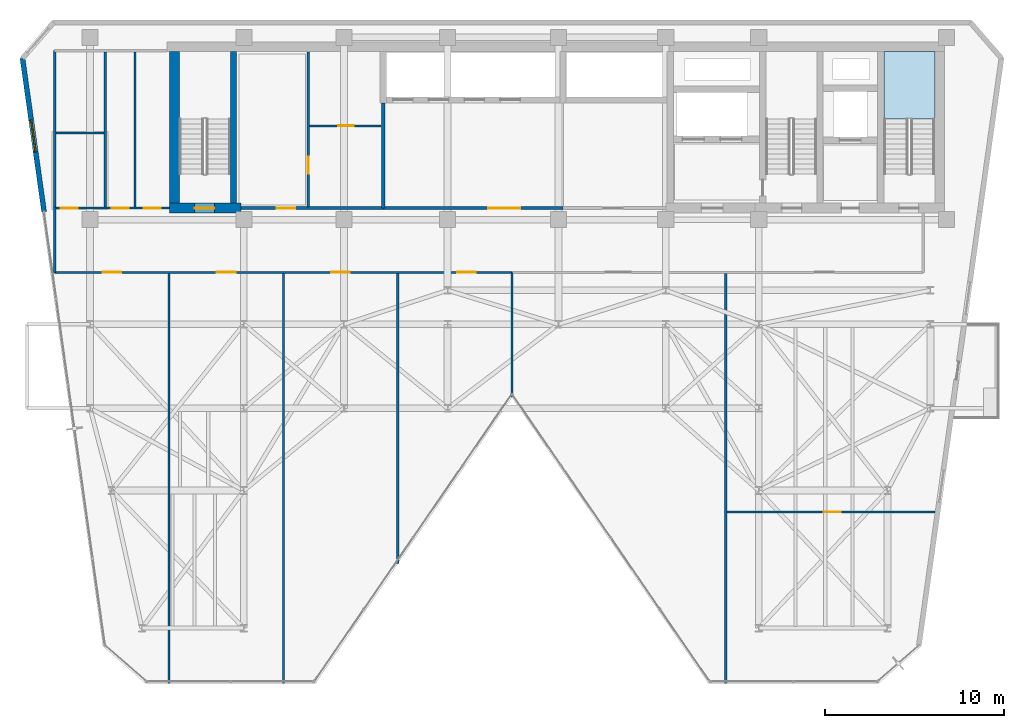
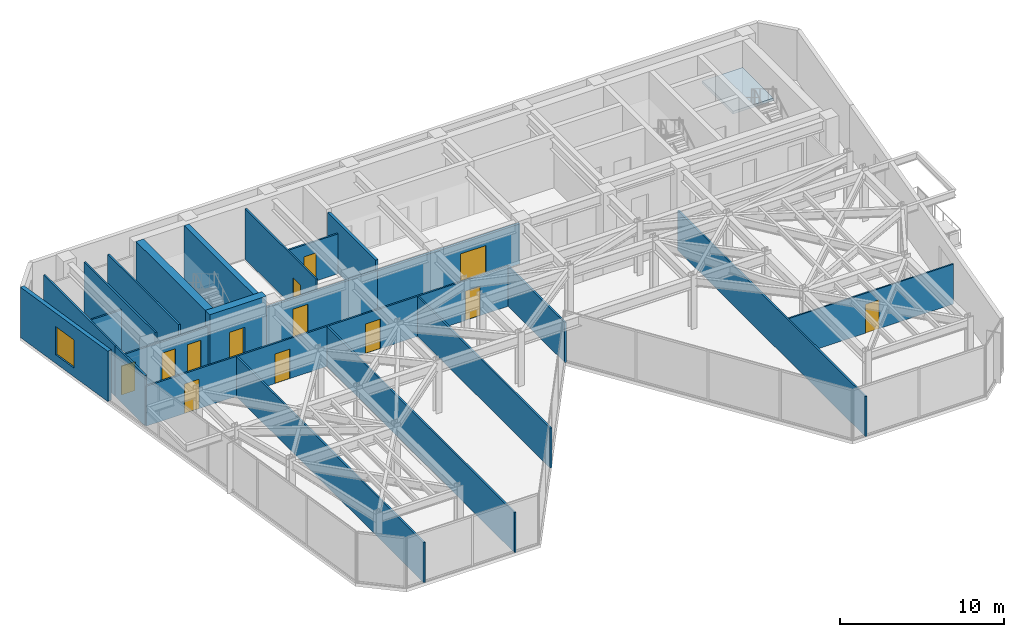
# One storey, part 22 of 27: 22 walls, 13 doors, 1 slab, 1 window, 14 openings, 1 element without a shape of its own.
"""IFC4 building model written with IfcOpenShell, lengths in metres."""

from ifc_helpers import new_model, si_unit, direction, frame, frame_2d, origin, place, context, subcontext, project, spatial, polyline, rectangle, outline, extrude, material, layer, layer_set, type_object, element, fill, aggregate, save


model = new_model("IFC4")

# Units and contexts
model_context = context("Model", 3, precision=1e-05, world=origin(), true_north=direction((0.0, 1.0)))
body_context = subcontext(model_context, "Body", "Model", "MODEL_VIEW")
ifc_project = project(units=[si_unit("LENGTHUNIT", "METRE"), si_unit("AREAUNIT", "SQUARE_METRE"), si_unit("VOLUMEUNIT", "CUBIC_METRE"), si_unit("PLANEANGLEUNIT", "RADIAN"), si_unit("MASSUNIT", "GRAM", prefix="KILO")], contexts=[model_context])

# Site, building, storey
site_placement = place(None, origin())
site = spatial("IfcSite", under=ifc_project, at=site_placement, CompositionType="ELEMENT")
building_placement = place(site_placement, origin())
building = spatial("IfcBuilding", under=site, at=building_placement, Name="Kravanh Interchange Tower", CompositionType="ELEMENT")
storey_placement = place(building_placement, frame((0.0, 0.0, 164.5)))
storey = spatial("IfcBuildingStorey", under=building, at=storey_placement, Name="L39", CompositionType="ELEMENT", Elevation=164.5)

# Stair, slab
ifc_material_1 = material(Name="Concrete C50/60", Category="concrete")
stair_type = type_object("IfcStairType", Name="Core Fire Exit Dogleg Stair Concrete C50/60", PredefinedType="HALF_TURN_STAIR", material=ifc_material_1)
stair_placement = place(storey_placement, origin())
stair = element("IfcStair", 1, at=stair_placement, inside=storey, type_object=stair_type, Name="L39 Exit Stair ST1", PredefinedType="HALF_TURN_STAIR")
ifc_material_2 = material(Name="Concrete C50/60", Category="concrete")
ifc_layer_1 = layer(ifc_material_2, 0.199951171875)
ifc_layer_set_1 = layer_set([ifc_layer_1], Name="Concrete C50/60 Stair Half-Landing Slab 200mm")
slab_type = type_object("IfcSlabType", Name="Concrete C50/60 Stair Half-Landing Slab 200mm", PredefinedType="LANDING", material=ifc_layer_set_1)
slab_placement = place(storey_placement, frame((0.0, 0.0, 1.800048828125)))
slab = element("IfcSlab", 2, at=slab_placement, type_object=slab_type, Name="ST1 landing 1", PredefinedType="LANDING", context=body_context, shape_type="SweptSolid", body=[
    extrude(outline(polyline([(65.85009765625, 42.97998046875), (65.85009765625, 46.75), (63.0, 46.75), (63.0, 42.97998046875), (65.85009765625, 42.97998046875)])), origin(), (0.0, 0.0, 1.0), 0.199951171875),
])
aggregate(stair, [slab])

# Wall, opening, door
ifc_material_3 = material(Name="Double Acoustic Gypsum Board and Mineral Wool")
ifc_layer_2 = layer(ifc_material_3, 0.1201171875)
ifc_layer_set_2 = layer_set([ifc_layer_2], Name="Acoustic Office Drywall Partition 120mm")
wall_type_1 = type_object("IfcWallType", Name="Acoustic Office Drywall Partition 120mm", PredefinedType="PARTITIONING", material=ifc_layer_set_2)
wall_1_placement = place(storey_placement, frame((30.800048828125, 38.068115234375, 0.0), z_axis=(0.0, 0.0, 1.0), x_axis=(0.0, 1.0, 0.0)))
wall_1 = element("IfcWall", 3, at=wall_1_placement, inside=storey, type_object=wall_type_1, Name="L39 Interior Partition 4", PredefinedType="PARTITIONING", context=body_context, shape_type="SweptSolid", body=[
    extrude(rectangle(XDim=8.673828125, YDim=0.1201171875, at=frame_2d((4.3369140625, 0.0))), origin(), (0.0, 0.0, 1.0), 3.7548828125),
])
opening_1_placement = place(wall_1_placement, frame((1.865234375, 0.0, 0.0)))
opening_1 = element("IfcOpeningElement", 4, at=opening_1_placement, cuts=wall_1, Name="Opening D-95", PredefinedType="OPENING", context=body_context, shape_type="SweptSolid", body=[
    extrude(rectangle(XDim=0.949951171875, YDim=2.14990234375, at=frame_2d((0.47509765625, 1.074951171875))), frame((0.0, 0.070068359375, 0.0), z_axis=(0.0, -1.0, 0.0), x_axis=(1.0, 0.0, 0.0)), (0.0, 0.0, 1.0), 0.14013671875),
])
ifc_material_4 = material(Name="Laminate Solid-Core Timber", Category="wood")
door_type_1 = type_object("IfcDoorType", Name="Accessible Restroom Door 950x2150", OperationType="NOTDEFINED", PredefinedType="DOOR", material=ifc_material_4)
door_1_placement = place(opening_1_placement, origin())
door_1 = element("IfcDoor", 5, at=door_1_placement, inside=storey, type_object=door_type_1, Name="L39 Copy Hub Inner Door", OperationType="SINGLE_SWING_RIGHT", OverallHeight=2.14990234375, OverallWidth=0.949951171875, PredefinedType="DOOR", context=body_context, shape_type="SweptSolid", body=[
    extrude(rectangle(XDim=0.949951171875, YDim=2.14990234375, at=frame_2d((0.47509765625, 1.074951171875))), frame((0.0, 0.02490234375, 0.0), z_axis=(0.0, -1.0, 0.0), x_axis=(1.0, 0.0, 0.0)), (0.0, 0.0, 1.0), 0.050048828125),
])
fill(opening_1, door_1)

wall_2_placement = place(storey_placement, frame((30.867919921875, 42.60009765625, 0.0), z_axis=(0.0, 0.0, 1.0), x_axis=(1.0, 0.0, 0.0)))
wall_2 = element("IfcWall", 6, at=wall_2_placement, inside=storey, type_object=wall_type_1, Name="L39 Interior Partition 5", PredefinedType="PARTITIONING", context=body_context, shape_type="SweptSolid", body=[
    extrude(rectangle(XDim=4.01416015625, YDim=0.1201171875, at=frame_2d((2.007080078125, 0.0))), origin(), (0.0, 0.0, 1.0), 2.98193359375),
])
opening_2_placement = place(wall_2_placement, frame((1.622314453125, 0.0, 0.0)))
opening_2 = element("IfcOpeningElement", 7, at=opening_2_placement, cuts=wall_2, Name="Opening D-85", PredefinedType="OPENING", context=body_context, shape_type="SweptSolid", body=[
    extrude(rectangle(XDim=0.85009765625, YDim=2.10009765625, at=frame_2d((0.425048828125, 1.050048828125))), frame((0.0, 0.070068359375, 0.0), z_axis=(0.0, -1.0, 0.0), x_axis=(1.0, 0.0, 0.0)), (0.0, 0.0, 1.0), 0.14013671875),
])
ifc_material_5 = material(Name="Engineered Teak Veneer Timber", Category="wood")
door_type_2 = type_object("IfcDoorType", Name="En-Suite Timber Door 850x2100", OperationType="NOTDEFINED", PredefinedType="DOOR", material=ifc_material_5)
door_2_placement = place(opening_2_placement, origin())
door_2 = element("IfcDoor", 8, at=door_2_placement, inside=storey, type_object=door_type_2, Name="L39 Records Store Inner Door", OperationType="SINGLE_SWING_LEFT", OverallHeight=2.10009765625, OverallWidth=0.85009765625, PredefinedType="DOOR", context=body_context, shape_type="SweptSolid", body=[
    extrude(rectangle(XDim=0.85009765625, YDim=2.10009765625, at=frame_2d((0.425048828125, 1.050048828125))), frame((0.0, 0.02490234375, 0.0), z_axis=(0.0, -1.0, 0.0), x_axis=(1.0, 0.0, 0.0)), (0.0, 0.0, 1.0), 0.050048828125),
])
fill(opening_2, door_2)

# Wall, openings, doors
wall_3_placement = place(storey_placement, frame((16.6201171875, 38.0, 0.0), z_axis=(0.0, 0.0, 1.0), x_axis=(1.0, 0.0, 0.0)))
wall_3 = element("IfcWall", 9, at=wall_3_placement, inside=storey, type_object=wall_type_1, Name="L39 Restroom Corridor Wall 7", PredefinedType="PARTITIONING", context=body_context, shape_type="SweptSolid", body=[
    extrude(rectangle(XDim=6.429931640625, YDim=0.1201171875, at=frame_2d((3.21484375, 0.0))), origin(), (0.0, 0.0, 1.0), 2.98193359375),
])
opening_3_placement = place(wall_3_placement, frame((0.348876953125, 0.0, 0.0)))
opening_3 = element("IfcOpeningElement", 10, at=opening_3_placement, cuts=wall_3, Name="Opening D-95", PredefinedType="OPENING", context=body_context, shape_type="SweptSolid", body=[
    extrude(rectangle(XDim=0.949951171875, YDim=2.14990234375, at=frame_2d((0.47509765625, 1.074951171875))), frame((0.0, 0.070068359375, 0.0), z_axis=(0.0, -1.0, 0.0), x_axis=(1.0, 0.0, 0.0)), (0.0, 0.0, 1.0), 0.14013671875),
])
opening_4_placement = place(wall_3_placement, frame((3.18505859375, 0.0, 0.0)))
opening_4 = element("IfcOpeningElement", 11, at=opening_4_placement, cuts=wall_3, Name="Opening D-95", PredefinedType="OPENING", context=body_context, shape_type="SweptSolid", body=[
    extrude(rectangle(XDim=0.949951171875, YDim=2.14990234375, at=frame_2d((0.47509765625, 1.074951171875))), frame((0.0, 0.070068359375, 0.0), z_axis=(0.0, -1.0, 0.0), x_axis=(1.0, 0.0, 0.0)), (0.0, 0.0, 1.0), 0.14013671875),
])
opening_5_placement = place(wall_3_placement, frame((4.97509765625, 0.0, 0.0)))
opening_5 = element("IfcOpeningElement", 12, at=opening_5_placement, cuts=wall_3, Name="Opening D-95", PredefinedType="OPENING", context=body_context, shape_type="SweptSolid", body=[
    extrude(rectangle(XDim=0.949951171875, YDim=2.14990234375, at=frame_2d((0.47509765625, 1.074951171875))), frame((0.0, 0.070068359375, 0.0), z_axis=(0.0, -1.0, 0.0), x_axis=(1.0, 0.0, 0.0)), (0.0, 0.0, 1.0), 0.14013671875),
])
door_3_placement = place(opening_3_placement, origin())
door_3 = element("IfcDoor", 13, at=door_3_placement, inside=storey, type_object=door_type_1, Name="L39 Accessible WC Door", OperationType="SINGLE_SWING_RIGHT", OverallHeight=2.14990234375, OverallWidth=0.949951171875, PredefinedType="DOOR", context=body_context, shape_type="SweptSolid", body=[
    extrude(rectangle(XDim=0.949951171875, YDim=2.14990234375, at=frame_2d((0.47509765625, 1.074951171875))), frame((0.0, 0.02490234375, 0.0), z_axis=(0.0, -1.0, 0.0), x_axis=(1.0, 0.0, 0.0)), (0.0, 0.0, 1.0), 0.050048828125),
])
fill(opening_3, door_3)
door_4_placement = place(opening_4_placement, origin())
door_4 = element("IfcDoor", 14, at=door_4_placement, inside=storey, type_object=door_type_1, Name="L39 Female WC Door", OperationType="SINGLE_SWING_LEFT", OverallHeight=2.14990234375, OverallWidth=0.949951171875, PredefinedType="DOOR", context=body_context, shape_type="SweptSolid", body=[
    extrude(rectangle(XDim=0.949951171875, YDim=2.14990234375, at=frame_2d((0.47509765625, 1.074951171875))), frame((0.0, 0.02490234375, 0.0), z_axis=(0.0, -1.0, 0.0), x_axis=(1.0, 0.0, 0.0)), (0.0, 0.0, 1.0), 0.050048828125),
])
fill(opening_4, door_4)
door_5_placement = place(opening_5_placement, origin())
door_5 = element("IfcDoor", 15, at=door_5_placement, inside=storey, type_object=door_type_1, Name="L39 Male WC Door", OperationType="SINGLE_SWING_RIGHT", OverallHeight=2.14990234375, OverallWidth=0.949951171875, PredefinedType="DOOR", context=body_context, shape_type="SweptSolid", body=[
    extrude(rectangle(XDim=0.949951171875, YDim=2.14990234375, at=frame_2d((0.47509765625, 1.074951171875))), frame((0.0, 0.02490234375, 0.0), z_axis=(0.0, -1.0, 0.0), x_axis=(1.0, 0.0, 0.0)), (0.0, 0.0, 1.0), 0.050048828125),
])
fill(opening_5, door_5)

# Walls
wall_4_placement = place(storey_placement, frame((16.6201171875, 38.0, 0.0), z_axis=(0.0, 0.0, 1.0), x_axis=(0.0, 1.0, 0.0)))
element("IfcWall", 16, at=wall_4_placement, inside=storey, type_object=wall_type_1, Name="L39 Restroom West Enclosure 8", PredefinedType="PARTITIONING", context=body_context, shape_type="SweptSolid", body=[
    extrude(rectangle(XDim=8.800048828125, YDim=0.1201171875, at=frame_2d((4.39990234375, 0.0))), origin(), (0.0, 0.0, 1.0), 3.7548828125),
])
for number, where, z_axis, x_axis, name in (
    (17, (19.449951171875, 38.068115234375, 0.0), (0.0, 0.0, 1.0), (0.0, 1.0, 0.0), "L39 Interior Partition 10"),
    (18, (21.110107421875, 38.068115234375, 0.0), (0.0, 0.0, 1.0), (0.0, 1.0, 0.0), "L39 Interior Partition 11"),
):
    element("IfcWall", number, at=place(storey_placement, frame(where, z_axis=z_axis, x_axis=x_axis)), inside=storey, type_object=wall_type_1, Name=name, PredefinedType="PARTITIONING", context=body_context, shape_type="SweptSolid", body=[
        extrude(rectangle(XDim=8.663818359375, YDim=0.1201171875, at=frame_2d((4.33203125, 0.0))), origin(), (0.0, 0.0, 1.0), 3.7548828125),
    ])
wall_5_placement = place(storey_placement, frame((16.68798828125, 42.199951171875, 0.0), z_axis=(0.0, 0.0, 1.0), x_axis=(1.0, 0.0, 0.0)))
element("IfcWall", 19, at=wall_5_placement, inside=storey, type_object=wall_type_1, Name="L39 Interior Partition 12", PredefinedType="PARTITIONING", context=body_context, shape_type="SweptSolid", body=[
    extrude(rectangle(XDim=2.694091796875, YDim=0.1201171875, at=frame_2d((1.34716796875, 0.0))), origin(), (0.0, 0.0, 1.0), 2.98193359375),
])

# Wall, openings, doors
wall_6_placement = place(storey_placement, frame((16.6201171875, 34.39990234375, 0.0), z_axis=(0.0, 0.0, 1.0), x_axis=(1.0, 0.0, 0.0)))
wall_6 = element("IfcWall", 20, at=wall_6_placement, inside=storey, type_object=wall_type_1, Name="L39 Interior Partition 13", PredefinedType="PARTITIONING", context=body_context, shape_type="SweptSolid", body=[
    extrude(rectangle(XDim=25.579833984375, YDim=0.1201171875, at=frame_2d((12.7900390625, 0.0))), origin(), (0.0, 0.0, 1.0), 2.98193359375),
])
opening_6_placement = place(wall_6_placement, frame((2.675048828125, 0.0, 0.0)))
opening_6 = element("IfcOpeningElement", 21, at=opening_6_placement, cuts=wall_6, Name="Opening D-105", PredefinedType="OPENING", context=body_context, shape_type="SweptSolid", body=[
    extrude(rectangle(XDim=1.050048828125, YDim=2.199951171875, at=frame_2d((0.52490234375, 1.10009765625))), frame((0.0, 0.070068359375, 0.0), z_axis=(0.0, -1.0, 0.0), x_axis=(1.0, 0.0, 0.0)), (0.0, 0.0, 1.0), 0.14013671875),
])
opening_7_placement = place(wall_6_placement, frame((9.070068359375, 0.0, 0.0)))
opening_7 = element("IfcOpeningElement", 22, at=opening_7_placement, cuts=wall_6, Name="Opening D-105", PredefinedType="OPENING", context=body_context, shape_type="SweptSolid", body=[
    extrude(rectangle(XDim=1.050048828125, YDim=2.199951171875, at=frame_2d((0.52490234375, 1.10009765625))), frame((0.0, 0.070068359375, 0.0), z_axis=(0.0, -1.0, 0.0), x_axis=(1.0, 0.0, 0.0)), (0.0, 0.0, 1.0), 0.14013671875),
])
opening_8_placement = place(wall_6_placement, frame((15.465087890625, 0.0, 0.0)))
opening_8 = element("IfcOpeningElement", 23, at=opening_8_placement, cuts=wall_6, Name="Opening D-105", PredefinedType="OPENING", context=body_context, shape_type="SweptSolid", body=[
    extrude(rectangle(XDim=1.050048828125, YDim=2.199951171875, at=frame_2d((0.52490234375, 1.10009765625))), frame((0.0, 0.070068359375, 0.0), z_axis=(0.0, -1.0, 0.0), x_axis=(1.0, 0.0, 0.0)), (0.0, 0.0, 1.0), 0.14013671875),
])
opening_9_placement = place(wall_6_placement, frame((22.50537109375, 0.0, 0.0)))
opening_9 = element("IfcOpeningElement", 24, at=opening_9_placement, cuts=wall_6, Name="Opening D-105", PredefinedType="OPENING", context=body_context, shape_type="SweptSolid", body=[
    extrude(rectangle(XDim=1.050048828125, YDim=2.199951171875, at=frame_2d((0.52490234375, 1.10009765625))), frame((0.0, 0.070068359375, 0.0), z_axis=(0.0, -1.0, 0.0), x_axis=(1.0, 0.0, 0.0)), (0.0, 0.0, 1.0), 0.14013671875),
])
ifc_material_6 = material(Name="Acoustic Glazed Oak and Aluminium", Category="aluminium")
door_type_3 = type_object("IfcDoorType", Name="Office Workplace Door 1050x2200", OperationType="NOTDEFINED", PredefinedType="DOOR", material=ifc_material_6)
door_6_placement = place(opening_6_placement, origin())
door_6 = element("IfcDoor", 25, at=door_6_placement, inside=storey, type_object=door_type_3, Name="L39 Partner Office 8A Door", OperationType="SINGLE_SWING_LEFT", OverallHeight=2.199951171875, OverallWidth=1.050048828125, PredefinedType="DOOR", context=body_context, shape_type="SweptSolid", body=[
    extrude(rectangle(XDim=1.050048828125, YDim=2.199951171875, at=frame_2d((0.52490234375, 1.10009765625))), frame((0.0, 0.02490234375, 0.0), z_axis=(0.0, -1.0, 0.0), x_axis=(1.0, 0.0, 0.0)), (0.0, 0.0, 1.0), 0.050048828125),
])
fill(opening_6, door_6)
door_7_placement = place(opening_7_placement, origin())
door_7 = element("IfcDoor", 26, at=door_7_placement, inside=storey, type_object=door_type_3, Name="L39 Associate Office 8B Door", OperationType="SINGLE_SWING_RIGHT", OverallHeight=2.199951171875, OverallWidth=1.050048828125, PredefinedType="DOOR", context=body_context, shape_type="SweptSolid", body=[
    extrude(rectangle(XDim=1.050048828125, YDim=2.199951171875, at=frame_2d((0.52490234375, 1.10009765625))), frame((0.0, 0.02490234375, 0.0), z_axis=(0.0, -1.0, 0.0), x_axis=(1.0, 0.0, 0.0)), (0.0, 0.0, 1.0), 0.050048828125),
])
fill(opening_7, door_7)
door_8_placement = place(opening_8_placement, origin())
door_8 = element("IfcDoor", 27, at=door_8_placement, inside=storey, type_object=door_type_3, Name="L39 Legal Office 8C Door", OperationType="SINGLE_SWING_LEFT", OverallHeight=2.199951171875, OverallWidth=1.050048828125, PredefinedType="DOOR", context=body_context, shape_type="SweptSolid", body=[
    extrude(rectangle(XDim=1.050048828125, YDim=2.199951171875, at=frame_2d((0.52490234375, 1.10009765625))), frame((0.0, 0.02490234375, 0.0), z_axis=(0.0, -1.0, 0.0), x_axis=(1.0, 0.0, 0.0)), (0.0, 0.0, 1.0), 0.050048828125),
])
fill(opening_8, door_8)
door_9_placement = place(opening_9_placement, origin())
door_9 = element("IfcDoor", 28, at=door_9_placement, inside=storey, type_object=door_type_3, Name="L39 Advisory Office 8D Door", OperationType="SINGLE_SWING_RIGHT", OverallHeight=2.199951171875, OverallWidth=1.050048828125, PredefinedType="DOOR", context=body_context, shape_type="SweptSolid", body=[
    extrude(rectangle(XDim=1.050048828125, YDim=2.199951171875, at=frame_2d((0.52490234375, 1.10009765625))), frame((0.0, 0.02490234375, 0.0), z_axis=(0.0, -1.0, 0.0), x_axis=(1.0, 0.0, 0.0)), (0.0, 0.0, 1.0), 0.050048828125),
])
fill(opening_9, door_9)

# Walls
wall_7_placement = place(storey_placement, frame((16.6201171875, 34.39990234375, 0.0), z_axis=(0.0, 0.0, 1.0), x_axis=(0.0, 1.0, 0.0)))
element("IfcWall", 29, at=wall_7_placement, inside=storey, type_object=wall_type_1, Name="L39 Interior Partition 15", PredefinedType="PARTITIONING", context=body_context, shape_type="SweptSolid", body=[
    extrude(rectangle(XDim=3.650146484375, YDim=0.1201171875, at=frame_2d((1.8251953125, 0.0))), origin(), (0.0, 0.0, 1.0), 3.7548828125),
])
wall_8_placement = place(storey_placement, frame((42.199951171875, 27.426513671875, 0.0), z_axis=(0.0, 0.0, 1.0), x_axis=(0.0, 1.0, 0.0)))
element("IfcWall", 30, at=wall_8_placement, inside=storey, type_object=wall_type_1, Name="L39 Interior Partition 17", PredefinedType="PARTITIONING", context=body_context, shape_type="SweptSolid", body=[
    extrude(rectangle(XDim=6.973388671875, YDim=0.1201171875, at=frame_2d((3.48681640625, 0.0))), origin(), (0.0, 0.0, 1.0), 2.98193359375),
])
for number, where, z_axis, x_axis, name in (
    (31, (23.02001953125, 11.4150390625, 0.0), (0.0, 0.0, 1.0), (0.0, 1.0, 0.0), "L39 Interior Partition 18"),
    (32, (29.409912109375, 11.4150390625, 0.0), (0.0, 0.0, 1.0), (0.0, 1.0, 0.0), "L39 Interior Partition 19"),
):
    element("IfcWall", number, at=place(storey_placement, frame(where, z_axis=z_axis, x_axis=x_axis)), inside=storey, type_object=wall_type_1, Name=name, PredefinedType="PARTITIONING", context=body_context, shape_type="SweptSolid", body=[
        extrude(rectangle(XDim=22.9169921875, YDim=0.1201171875, at=frame_2d((11.45849609375, 0.0))), origin(), (0.0, 0.0, 1.0), 2.98193359375),
    ])
wall_9_placement = place(storey_placement, frame((35.81005859375, 18.1318359375, 0.0), z_axis=(0.0, 0.0, 1.0), x_axis=(0.0, 1.0, 0.0)))
element("IfcWall", 33, at=wall_9_placement, inside=storey, type_object=wall_type_1, Name="L39 Interior Partition 20", PredefinedType="PARTITIONING", context=body_context, shape_type="SweptSolid", body=[
    extrude(rectangle(XDim=16.2001953125, YDim=0.1201171875, at=frame_2d((8.10009765625, 0.0))), origin(), (0.0, 0.0, 1.0), 2.98193359375),
])
wall_10_placement = place(storey_placement, frame((54.159912109375, 11.4150390625, 0.0), z_axis=(0.0, 0.0, 1.0), x_axis=(0.0, 1.0, 0.0)))
element("IfcWall", 34, at=wall_10_placement, inside=storey, type_object=wall_type_1, Name="L39 Interior Partition 21", PredefinedType="PARTITIONING", context=body_context, shape_type="SweptSolid", body=[
    extrude(rectangle(XDim=22.9169921875, YDim=0.1201171875, at=frame_2d((11.45849609375, 0.0))), origin(), (0.0, 0.0, 1.0), 2.98193359375),
])
ifc_material_7 = material(Name="Concrete C60/75", Category="concrete")
ifc_layer_3 = layer(ifc_material_7, 0.35009765625)
ifc_layer_set_3 = layer_set([ifc_layer_3], Name="Core Shear Wall Concrete C60/75 350mm")
wall_type_2 = type_object("IfcWallType", Name="Core Shear Wall Concrete C60/75 350mm", PredefinedType="SHEAR", material=ifc_layer_set_3)
wall_11_placement = place(storey_placement, frame((26.625, 38.27490234375, 0.0), z_axis=(0.0, 0.0, 1.0), x_axis=(0.0, 1.0, 0.0)))
element("IfcWall", 35, at=wall_11_placement, inside=storey, type_object=wall_type_2, Name="L39 Stair ST3 East Shear Wall", PredefinedType="SHEAR", context=body_context, shape_type="SweptSolid", body=[
    extrude(rectangle(XDim=8.47509765625, YDim=0.35009765625, at=frame_2d((4.237548828125, 0.0))), origin(), (0.0, 0.0, 1.0), 4.0),
])

# Wall, opening, door
ifc_material_8 = material(Name="Concrete C70/85", Category="concrete")
ifc_layer_4 = layer(ifc_material_8, 0.550048828125)
ifc_layer_set_4 = layer_set([ifc_layer_4], Name="Core Shear Wall Concrete C70/85 550mm")
wall_type_3 = type_object("IfcWallType", Name="Core Shear Wall Concrete C70/85 550mm", PredefinedType="SHEAR", material=ifc_layer_set_4)
wall_12_placement = place(storey_placement, frame((23.050048828125, 38.0, 0.0), z_axis=(0.0, 0.0, 1.0), x_axis=(1.0, 0.0, 0.0)))
wall_12 = element("IfcWall", 36, at=wall_12_placement, inside=storey, type_object=wall_type_3, Name="L39 Stair ST3 South Shear Wall", PredefinedType="SHEAR", context=body_context, shape_type="SweptSolid", body=[
    extrude(rectangle(XDim=4.0, YDim=0.550048828125, at=frame_2d((2.0, 0.0))), origin(), (0.0, 0.0, 1.0), 4.0),
])
opening_10_placement = place(wall_12_placement, frame((1.39990234375, 0.0, 0.0)))
opening_10 = element("IfcOpeningElement", 37, at=opening_10_placement, cuts=wall_12, Name="Opening D-STAIR-110", PredefinedType="OPENING", context=body_context, shape_type="SweptSolid", body=[
    extrude(rectangle(XDim=1.10009765625, YDim=2.199951171875, at=frame_2d((0.550048828125, 1.10009765625))), frame((0.0, 0.28515625, 0.0), z_axis=(0.0, -1.0, 0.0), x_axis=(1.0, 0.0, 0.0)), (0.0, 0.0, 1.0), 0.570068359375),
])
ifc_material_9 = material(Name="Structural Steel S355", Category="steel")
door_type_4 = type_object("IfcDoorType", Name="Fire-Rated Exit Stair Door 1100x2200", OperationType="NOTDEFINED", PredefinedType="DOOR", material=ifc_material_9)
door_10_placement = place(opening_10_placement, origin())
door_10 = element("IfcDoor", 38, at=door_10_placement, inside=storey, type_object=door_type_4, Name="L39 Exit Stair ST3 Door", OperationType="SINGLE_SWING_RIGHT", OverallHeight=2.199951171875, OverallWidth=1.10009765625, PredefinedType="DOOR", context=body_context, shape_type="SweptSolid", body=[
    extrude(rectangle(XDim=1.10009765625, YDim=2.199951171875, at=frame_2d((0.550048828125, 1.10009765625))), frame((0.0, 0.02490234375, 0.0), z_axis=(0.0, -1.0, 0.0), x_axis=(1.0, 0.0, 0.0)), (0.0, 0.0, 1.0), 0.050048828125),
])
fill(opening_10, door_10)

# Wall
wall_13_placement = place(storey_placement, frame((23.324951171875, 38.27490234375, 0.0), z_axis=(0.0, 0.0, 1.0), x_axis=(0.0, 1.0, 0.0)))
element("IfcWall", 39, at=wall_13_placement, inside=storey, type_object=wall_type_3, Name="L39 Stair ST3 West Shear Wall", PredefinedType="SHEAR", context=body_context, shape_type="SweptSolid", body=[
    extrude(rectangle(XDim=8.47509765625, YDim=0.550048828125, at=frame_2d((4.237548828125, 0.0))), origin(), (0.0, 0.0, 1.0), 4.0),
])

# Wall, opening, door
ifc_material_10 = material(Name="Moisture-Resistant Gypsum Board and Mineral Wool")
ifc_layer_5 = layer(ifc_material_10, 0.10009765625)
ifc_layer_set_5 = layer_set([ifc_layer_5], Name="En-Suite Moisture-Resistant Partition 100mm")
wall_type_4 = type_object("IfcWallType", Name="En-Suite Moisture-Resistant Partition 100mm", PredefinedType="PARTITIONING", material=ifc_layer_set_5)
wall_14_placement = place(storey_placement, frame((54.22802734375, 21.0, 0.0), z_axis=(0.0, 0.0, 1.0), x_axis=(1.0, 0.0, 0.0)))
wall_14 = element("IfcWall", 40, at=wall_14_placement, inside=storey, type_object=wall_type_4, Name="L39 Interior Partition 22", PredefinedType="PARTITIONING", context=body_context, shape_type="SweptSolid", body=[
    extrude(rectangle(XDim=11.619384765625, YDim=0.10009765625, at=frame_2d((5.8095703125, 0.0))), origin(), (0.0, 0.0, 1.0), 2.98193359375),
])
opening_11_placement = place(wall_14_placement, frame((5.396728515625, 0.0, 0.0)))
opening_11 = element("IfcOpeningElement", 41, at=opening_11_placement, cuts=wall_14, Name="Opening D-95", PredefinedType="OPENING", context=body_context, shape_type="SweptSolid", body=[
    extrude(rectangle(XDim=0.949951171875, YDim=2.14990234375, at=frame_2d((0.47509765625, 1.074951171875))), frame((0.0, 0.06005859375, 0.0), z_axis=(0.0, -1.0, 0.0), x_axis=(1.0, 0.0, 0.0)), (0.0, 0.0, 1.0), 0.1201171875),
])
door_11_placement = place(opening_11_placement, origin())
door_11 = element("IfcDoor", 42, at=door_11_placement, inside=storey, type_object=door_type_1, Name="L39 East Vault Archive Store Inner Door", OperationType="SINGLE_SWING_RIGHT", OverallHeight=2.14990234375, OverallWidth=0.949951171875, PredefinedType="DOOR", context=body_context, shape_type="SweptSolid", body=[
    extrude(rectangle(XDim=0.949951171875, YDim=2.14990234375, at=frame_2d((0.47509765625, 1.074951171875))), frame((0.0, 0.02490234375, 0.0), z_axis=(0.0, -1.0, 0.0), x_axis=(1.0, 0.0, 0.0)), (0.0, 0.0, 1.0), 0.050048828125),
])
fill(opening_11, door_11)

# Wall, opening, window
ifc_material_11 = material(Name="Insulated Precast Concrete C40/50 with Bronze Cladding", Category="concrete")
ifc_layer_6 = layer(ifc_material_11, 0.280029296875)
ifc_layer_set_6 = layer_set([ifc_layer_6], Name="Exterior Insulated Concrete C40/50 Bronze Spandrel Wall 280mm")
wall_type_5 = type_object("IfcWallType", Name="Exterior Insulated Concrete C40/50 Bronze Spandrel Wall 280mm", PredefinedType="STANDARD", material=ifc_layer_set_6)
wall_15_placement = place(storey_placement, frame((16.02490234375, 37.800048828125, 0.0), z_axis=(0.0, 0.0, 1.0), x_axis=(-0.13918102754, 0.990266954701, 0.0)))
wall_15 = element("IfcWall", 43, at=wall_15_placement, inside=storey, type_object=wall_type_5, Name="L39 Exterior Wall 1", PredefinedType="STANDARD", context=body_context, shape_type="SweptSolid", body=[
    extrude(rectangle(XDim=8.667236328125, YDim=0.280029296875, at=frame_2d((4.33349609375, 0.0))), origin(), (0.0, 0.0, 1.0), 3.7548828125),
])
opening_12_placement = place(wall_15_placement, frame((3.37353515625, 0.0, 0.64990234375)))
opening_12 = element("IfcOpeningElement", 44, at=opening_12_placement, cuts=wall_15, Name="Opening WN-180X210", PredefinedType="OPENING", context=body_context, shape_type="SweptSolid", body=[
    extrude(rectangle(XDim=1.800048828125, YDim=2.10009765625, at=frame_2d((0.89990234375, 1.050048828125))), frame((0.0, 0.14990234375, 0.0), z_axis=(0.0, -1.0, 0.0), x_axis=(1.0, 0.0, 0.0)), (0.0, 0.0, 1.0), 0.300048828125),
])
ifc_material_12 = material(Name="Thermally Broken Bronze Aluminium and Low-E Glass", Category="aluminium")
window_type = type_object("IfcWindowType", Name="Tower Pier Window 1800x2100", PartitioningType="SINGLE_PANEL", PredefinedType="WINDOW", material=ifc_material_12)
window_placement = place(opening_12_placement, origin())
window = element("IfcWindow", 45, at=window_placement, inside=storey, type_object=window_type, Name="L39 Corner Window 1", OverallHeight=2.10009765625, OverallWidth=1.800048828125, PartitioningType="SINGLE_PANEL", PredefinedType="WINDOW", context=body_context, shape_type="SweptSolid", body=[
    extrude(rectangle(XDim=1.800048828125, YDim=2.10009765625, at=frame_2d((0.89990234375, 1.050048828125))), frame((0.0, 0.030029296875, 0.0), z_axis=(0.0, -1.0, 0.0), x_axis=(1.0, 0.0, 0.0)), (0.0, 0.0, 1.0), 0.06005859375),
])
fill(opening_12, window)

# Wall
ifc_material_13 = material(Name="Autoclaved Aerated Concrete C30/37 Blockwork", Category="masonry")
ifc_layer_7 = layer(ifc_material_13, 0.179931640625)
ifc_layer_set_7 = layer_set([ifc_layer_7], Name="Fire-Rated Lobby and Corridor Wall Concrete C30/37 180mm")
wall_type_6 = type_object("IfcWallType", Name="Fire-Rated Lobby and Corridor Wall Concrete C30/37 180mm", PredefinedType="STANDARD", material=ifc_layer_set_7)
wall_16_placement = place(storey_placement, frame((35.0, 38.0, 0.0), z_axis=(0.0, 0.0, 1.0), x_axis=(0.0, 1.0, 0.0)))
element("IfcWall", 46, at=wall_16_placement, inside=storey, type_object=wall_type_6, Name="L39 Interior Partition 3", PredefinedType="STANDARD", context=body_context, shape_type="SweptSolid", body=[
    extrude(rectangle(XDim=5.875, YDim=0.179931640625, at=frame_2d((2.9375, 0.0))), origin(), (0.0, 0.0, 1.0), 3.7548828125),
])

# Wall, opening, door
wall_17_placement = place(storey_placement, frame((35.0, 38.0, 0.0), z_axis=(0.0, 0.0, 1.0), x_axis=(1.0, 0.0, 0.0)))
wall_17 = element("IfcWall", 47, at=wall_17_placement, inside=storey, type_object=wall_type_6, Name="L39 Interior Partition 6", PredefinedType="STANDARD", context=body_context, shape_type="SweptSolid", body=[
    extrude(rectangle(XDim=10.050048828125, YDim=0.179931640625, at=frame_2d((5.02490234375, 0.0))), origin(), (0.0, 0.0, 1.0), 2.98193359375),
])
opening_13_placement = place(wall_17_placement, frame((5.85791015625, 0.0, 0.0)))
opening_13 = element("IfcOpeningElement", 48, at=opening_13_placement, cuts=wall_17, Name="Opening DBL-180", PredefinedType="OPENING", context=body_context, shape_type="SweptSolid", body=[
    extrude(rectangle(XDim=1.800048828125, YDim=2.199951171875, at=frame_2d((0.89990234375, 1.10009765625))), frame((0.0, 0.10009765625, 0.0), z_axis=(0.0, -1.0, 0.0), x_axis=(1.0, 0.0, 0.0)), (0.0, 0.0, 1.0), 0.199951171875),
])
ifc_material_14 = material(Name="Structural Steel S355", Category="steel")
door_type_5 = type_object("IfcDoorType", Name="Lift Lobby Double Fire Door 1800x2200", OperationType="DOUBLE_DOOR_SINGLE_SWING", PredefinedType="DOOR", material=ifc_material_14)
door_12_placement = place(opening_13_placement, origin())
door_12 = element("IfcDoor", 49, at=door_12_placement, inside=storey, type_object=door_type_5, Name="L39 Mid-Rise Lift Lobby Door", OperationType="DOUBLE_DOOR_SINGLE_SWING", OverallHeight=2.199951171875, OverallWidth=1.800048828125, PredefinedType="DOOR", context=body_context, shape_type="SweptSolid", body=[
    extrude(rectangle(XDim=1.800048828125, YDim=2.199951171875, at=frame_2d((0.89990234375, 1.10009765625))), frame((0.0, 0.02490234375, 0.0), z_axis=(0.0, -1.0, 0.0), x_axis=(1.0, 0.0, 0.0)), (0.0, 0.0, 1.0), 0.050048828125),
])
fill(opening_13, door_12)

ifc_material_15 = material(Name="Twin Stud Acoustic Gypsum Board Wall")
ifc_layer_8 = layer(ifc_material_15, 0.14990234375)
ifc_layer_set_8 = layer_set([ifc_layer_8], Name="Medium-Duty Acoustic Partition 150mm")
wall_type_7 = type_object("IfcWallType", Name="Medium-Duty Acoustic Partition 150mm", PredefinedType="PARTITIONING", material=ifc_layer_set_8)
wall_18_placement = place(storey_placement, frame((27.050048828125, 38.0, 0.0), z_axis=(0.0, 0.0, 1.0), x_axis=(1.0, 0.0, 0.0)))
wall_18 = element("IfcWall", 50, at=wall_18_placement, inside=storey, type_object=wall_type_7, Name="L39 Interior Partition 2", PredefinedType="PARTITIONING", context=body_context, shape_type="SweptSolid", body=[
    extrude(rectangle(XDim=7.949951171875, YDim=0.14990234375, at=frame_2d((3.97509765625, 0.0))), origin(), (0.0, 0.0, 1.0), 2.98193359375),
])
opening_14_placement = place(wall_18_placement, frame((1.984619140625, 0.0, 0.0)))
opening_14 = element("IfcOpeningElement", 51, at=opening_14_placement, cuts=wall_18, Name="Opening D-105", PredefinedType="OPENING", context=body_context, shape_type="SweptSolid", body=[
    extrude(rectangle(XDim=1.050048828125, YDim=2.199951171875, at=frame_2d((0.52490234375, 1.10009765625))), frame((0.0, 0.0849609375, 0.0), z_axis=(0.0, -1.0, 0.0), x_axis=(1.0, 0.0, 0.0)), (0.0, 0.0, 1.0), 0.169921875),
])
door_13_placement = place(opening_14_placement, origin())
door_13 = element("IfcDoor", 52, at=door_13_placement, inside=storey, type_object=door_type_3, Name="L39 Staff Coffee Room Door", OperationType="SINGLE_SWING_LEFT", OverallHeight=2.199951171875, OverallWidth=1.050048828125, PredefinedType="DOOR", context=body_context, shape_type="SweptSolid", body=[
    extrude(rectangle(XDim=1.050048828125, YDim=2.199951171875, at=frame_2d((0.52490234375, 1.10009765625))), frame((0.0, 0.02490234375, 0.0), z_axis=(0.0, -1.0, 0.0), x_axis=(1.0, 0.0, 0.0)), (0.0, 0.0, 1.0), 0.050048828125),
])
fill(opening_14, door_13)

save(model, "model.ifc")
